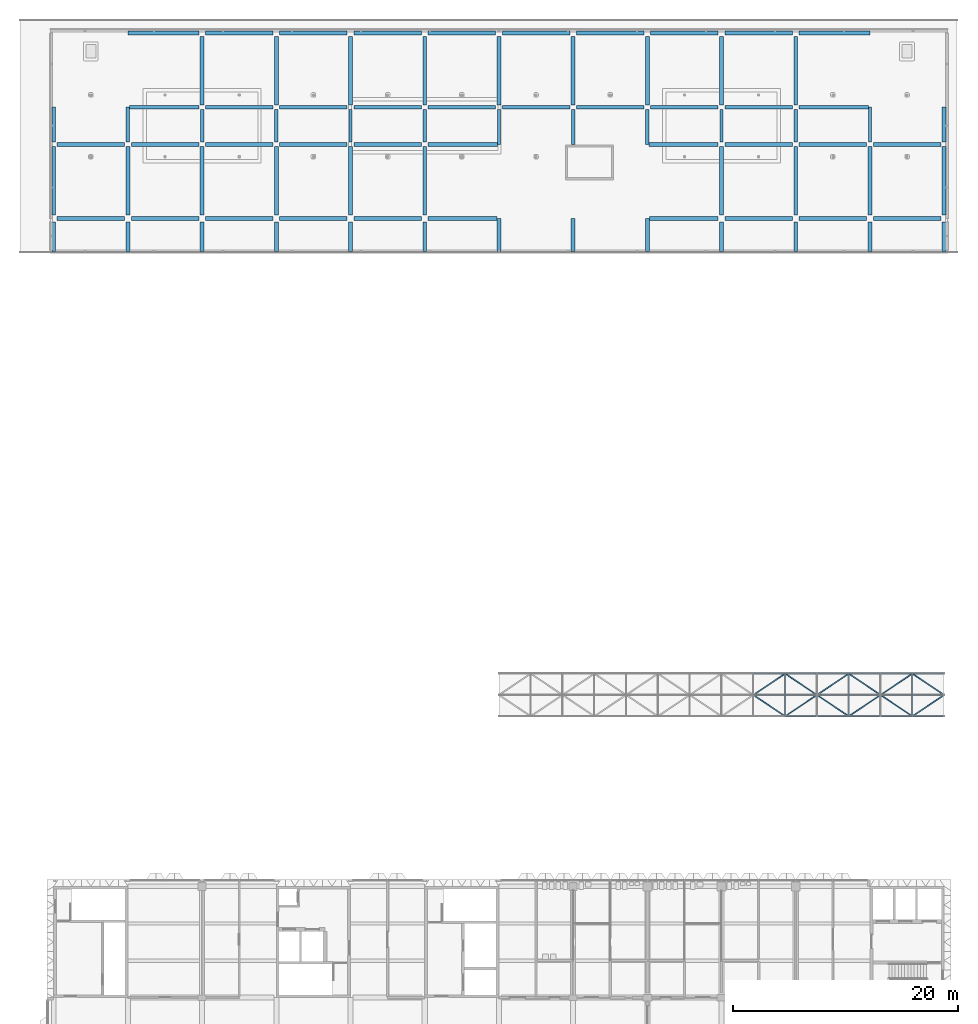
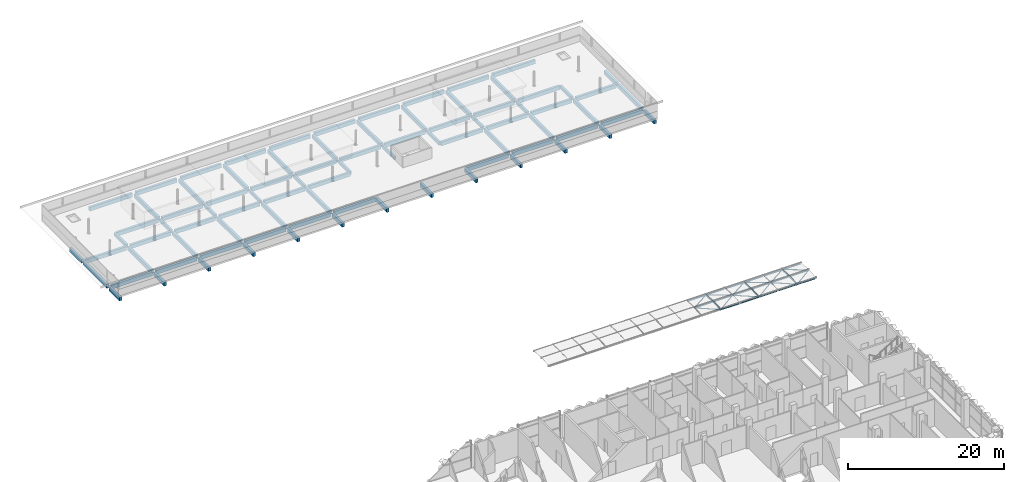
# One storey, part 13 of 61: 85 beams, 35 members.
"""IFC4 building model written with IfcOpenShell, lengths in metres."""

from ifc_helpers import new_model, si_unit, direction, frame, origin, origin_2d, place, context, subcontext, project, spatial, rectangle, hollow_rectangle, extrude, material, material_profile, profile_set, type_object, element, save


model = new_model("IFC4")

# Units and contexts
model_context = context("Model", 3, precision=1e-05, world=origin(), true_north=direction((0.0, 1.0)))
body_context = subcontext(model_context, "Body", "Model", "MODEL_VIEW")
ifc_project = project(units=[si_unit("LENGTHUNIT", "METRE"), si_unit("AREAUNIT", "SQUARE_METRE"), si_unit("VOLUMEUNIT", "CUBIC_METRE"), si_unit("PLANEANGLEUNIT", "RADIAN"), si_unit("MASSUNIT", "GRAM", prefix="KILO")], contexts=[model_context])

# Site, building, storey
site_placement = place(None, origin())
site = spatial("IfcSite", under=ifc_project, at=site_placement, CompositionType="ELEMENT")
building_placement = place(site_placement, origin())
building = spatial("IfcBuilding", under=site, at=building_placement, Name="Lantern Court Research Institute", CompositionType="ELEMENT")
storey_placement = place(building_placement, frame((0.0, 0.0, 23.39990234375)))
storey = spatial("IfcBuildingStorey", under=building, at=storey_placement, Name="L05", CompositionType="ELEMENT", Elevation=23.39990234375)

# Members
ifc_material_1 = material(Name="Structural steel S355", Category="steel")
ifc_material_profile_1 = material_profile(ifc_material_1, hollow_rectangle(XDim=0.080078125, YDim=0.159912109375, WallThickness=0.00634765625, at=origin_2d()), Name="Gridshell crown purlin RHS 160 x 80 x 6.3")
ifc_profile_set_1 = profile_set([ifc_material_profile_1], Name="Structural steel S355")
member_type_1 = type_object("IfcMemberType", Name="Gridshell crown purlin RHS 160 x 80 x 6.3", PredefinedType="PURLIN", material=ifc_profile_set_1)
member_1_placement = place(storey_placement, frame((65.1171875, 38.23291015625, 0.024658203125), z_axis=(1.0, 0.0, 0.0), x_axis=(0.0, 0.994933962664, 0.100530641789)))
element("IfcMember", 1, at=member_1_placement, inside=storey, type_object=member_type_1, Name="Gridshell purlin", PredefinedType="PURLIN", context=body_context, shape_type="SweptSolid", body=[
    extrude(hollow_rectangle(XDim=0.080078125, YDim=0.159912109375, WallThickness=0.00634765625, at=origin_2d()), origin(), (0.0, 0.0, 1.0), 2.66845703125),
])
for number, where, z_axis, x_axis, name in (
    (2, (67.985595703125, 38.23291015625, 0.024658203125), (1.0, 0.0, 0.0), (0.0, 0.994933962664, 0.100530641789), "Gridshell purlin"),
    (3, (70.774169921875, 38.23291015625, 0.024658203125), (1.0, 0.0, 0.0), (0.0, 0.994933962664, 0.100530641789), "Gridshell purlin"),
    (4, (73.642822265625, 38.23291015625, 0.024658203125), (1.0, 0.0, 0.0), (0.0, 0.994933962664, 0.100530641789), "Gridshell purlin"),
):
    element("IfcMember", number, at=place(storey_placement, frame(where, z_axis=z_axis, x_axis=x_axis)), inside=storey, type_object=member_type_1, Name=name, PredefinedType="PURLIN", context=body_context, shape_type="SweptSolid", body=[
        extrude(hollow_rectangle(XDim=0.080078125, YDim=0.159912109375, WallThickness=0.00634765625, at=origin_2d()), origin(), (0.0, 0.0, 1.0), 2.668701171875),
    ])
member_2_placement = place(storey_placement, frame((76.431396484375, 38.23291015625, 0.024658203125), z_axis=(1.0, 0.0, 0.0), x_axis=(0.0, 0.994933962664, 0.100530641789)))
element("IfcMember", 5, at=member_2_placement, inside=storey, type_object=member_type_1, Name="Gridshell purlin", PredefinedType="PURLIN", context=body_context, shape_type="SweptSolid", body=[
    extrude(hollow_rectangle(XDim=0.080078125, YDim=0.159912109375, WallThickness=0.00634765625, at=origin_2d()), origin(), (0.0, 0.0, 1.0), 2.6435546875),
])
for number, where, z_axis, x_axis, name in (
    (6, (62.32861328125, 40.125, 0.1201171875), (1.0, 0.0, 0.0), (0.0, 1.0, 0.0), "Gridshell purlin"),
    (7, (65.1171875, 40.125, 0.1201171875), (1.0, 0.0, 0.0), (0.0, 1.0, 0.0), "Gridshell purlin"),
):
    element("IfcMember", number, at=place(storey_placement, frame(where, z_axis=z_axis, x_axis=x_axis)), inside=storey, type_object=member_type_1, Name=name, PredefinedType="PURLIN", context=body_context, shape_type="SweptSolid", body=[
        extrude(hollow_rectangle(XDim=0.080078125, YDim=0.159912109375, WallThickness=0.00634765625, at=origin_2d()), origin(), (0.0, 0.0, 1.0), 2.66845703125),
    ])
for number, where, z_axis, x_axis, name in (
    (8, (67.985595703125, 40.125, 0.1201171875), (1.0, 0.0, 0.0), (0.0, 1.0, 0.0), "Gridshell purlin"),
    (9, (70.774169921875, 40.125, 0.1201171875), (1.0, 0.0, 0.0), (0.0, 1.0, 0.0), "Gridshell purlin"),
    (10, (73.642822265625, 40.125, 0.1201171875), (1.0, 0.0, 0.0), (0.0, 1.0, 0.0), "Gridshell purlin"),
):
    element("IfcMember", number, at=place(storey_placement, frame(where, z_axis=z_axis, x_axis=x_axis)), inside=storey, type_object=member_type_1, Name=name, PredefinedType="PURLIN", context=body_context, shape_type="SweptSolid", body=[
        extrude(hollow_rectangle(XDim=0.080078125, YDim=0.159912109375, WallThickness=0.00634765625, at=origin_2d()), origin(), (0.0, 0.0, 1.0), 2.668701171875),
    ])
member_3_placement = place(storey_placement, frame((76.431396484375, 40.125, 0.1201171875), z_axis=(1.0, 0.0, 0.0), x_axis=(0.0, 1.0, 0.0)))
element("IfcMember", 11, at=member_3_placement, inside=storey, type_object=member_type_1, Name="Gridshell purlin", PredefinedType="PURLIN", context=body_context, shape_type="SweptSolid", body=[
    extrude(hollow_rectangle(XDim=0.080078125, YDim=0.159912109375, WallThickness=0.00634765625, at=origin_2d()), origin(), (0.0, 0.0, 1.0), 2.6435546875),
])
for number, where, z_axis, x_axis, name in (
    (12, (62.32861328125, 42.01708984375, 0.024658203125), (1.0, 0.0, 0.0), (0.0, 0.994933962664, -0.100530641789), "Gridshell purlin"),
    (13, (65.1171875, 42.01708984375, 0.024658203125), (1.0, 0.0, 0.0), (0.0, 0.994933962664, -0.100530641789), "Gridshell purlin"),
):
    element("IfcMember", number, at=place(storey_placement, frame(where, z_axis=z_axis, x_axis=x_axis)), inside=storey, type_object=member_type_1, Name=name, PredefinedType="PURLIN", context=body_context, shape_type="SweptSolid", body=[
        extrude(hollow_rectangle(XDim=0.080078125, YDim=0.159912109375, WallThickness=0.00634765625, at=origin_2d()), origin(), (0.0, 0.0, 1.0), 2.66845703125),
    ])
for number, where, z_axis, x_axis, name in (
    (14, (67.985595703125, 42.01708984375, 0.024658203125), (1.0, 0.0, 0.0), (0.0, 0.994933962664, -0.100530641789), "Gridshell purlin"),
    (15, (70.774169921875, 42.01708984375, 0.024658203125), (1.0, 0.0, 0.0), (0.0, 0.994933962664, -0.100530641789), "Gridshell purlin"),
    (16, (73.642822265625, 42.01708984375, 0.024658203125), (1.0, 0.0, 0.0), (0.0, 0.994933962664, -0.100530641789), "Gridshell purlin"),
):
    element("IfcMember", number, at=place(storey_placement, frame(where, z_axis=z_axis, x_axis=x_axis)), inside=storey, type_object=member_type_1, Name=name, PredefinedType="PURLIN", context=body_context, shape_type="SweptSolid", body=[
        extrude(hollow_rectangle(XDim=0.080078125, YDim=0.159912109375, WallThickness=0.00634765625, at=origin_2d()), origin(), (0.0, 0.0, 1.0), 2.668701171875),
    ])
member_4_placement = place(storey_placement, frame((76.431396484375, 42.01708984375, 0.024658203125), z_axis=(1.0, 0.0, 0.0), x_axis=(0.0, 0.994933962664, -0.100530641789)))
element("IfcMember", 17, at=member_4_placement, inside=storey, type_object=member_type_1, Name="Gridshell purlin", PredefinedType="PURLIN", context=body_context, shape_type="SweptSolid", body=[
    extrude(hollow_rectangle(XDim=0.080078125, YDim=0.159912109375, WallThickness=0.00634765625, at=origin_2d()), origin(), (0.0, 0.0, 1.0), 2.6435546875),
])
ifc_material_2 = material(Name="Structural steel S355", Category="steel")
ifc_material_profile_2 = material_profile(ifc_material_2, hollow_rectangle(XDim=0.10009765625, YDim=0.10009765625, WallThickness=0.00634765625, at=origin_2d()), Name="Gridshell diagonal RHS 100 x 100 x 6.3")
ifc_profile_set_2 = profile_set([ifc_material_profile_2], Name="Structural steel S355")
member_type_2 = type_object("IfcMemberType", Name="Gridshell diagonal RHS 100 x 100 x 6.3", PredefinedType="BRACE", material=ifc_profile_set_2)
for number, where, z_axis, x_axis, name in (
    (18, (65.05712890625, 38.2275390625, 0.054443359375), (-0.829800097715, 0.557354079097, 0.028075404653), (-0.55806074737, -0.828748535987, -0.041762020349), "Gridshell diagonal"),
    (19, (62.228515625, 40.12255859375, 0.150146484375), (0.829800097715, 0.557354079097, -0.028075404653), (-0.55806074737, 0.828748535987, -0.041762020349), "Gridshell diagonal"),
    (20, (65.05712890625, 38.2275390625, 0.054443359375), (0.829800097715, 0.557354079097, 0.028075404653), (-0.55806074737, 0.828748535987, 0.041762020349), "Gridshell diagonal"),
    (21, (67.8857421875, 40.12255859375, 0.150146484375), (-0.829800097715, 0.557354079097, -0.028075404653), (-0.55806074737, -0.828748535987, 0.041762020349), "Gridshell diagonal"),
    (22, (70.71435546875, 38.2275390625, 0.054443359375), (-0.829800097715, 0.557354079097, 0.028075404653), (-0.55806074737, -0.828748535987, -0.041762020349), "Gridshell diagonal"),
    (23, (67.8857421875, 40.12255859375, 0.150146484375), (0.829800097715, 0.557354079097, -0.028075404653), (-0.55806074737, 0.828748535987, -0.041762020349), "Gridshell diagonal"),
    (24, (70.71435546875, 38.2275390625, 0.054443359375), (0.829800097715, 0.557354079097, 0.028075404653), (-0.55806074737, 0.828748535987, 0.041762020349), "Gridshell diagonal"),
    (25, (73.54296875, 40.12255859375, 0.150146484375), (-0.829800097715, 0.557354079097, -0.028075404653), (-0.55806074737, -0.828748535987, 0.041762020349), "Gridshell diagonal"),
    (26, (76.371337890625, 38.2275390625, 0.054443359375), (-0.829777790691, 0.557387204761, 0.02807707328), (-0.558093915024, -0.828726200764, -0.041762018391), "Gridshell diagonal"),
    (27, (73.54296875, 40.12255859375, 0.150146484375), (0.829777790691, 0.557387204761, -0.02807707328), (-0.558093915024, 0.828726200764, -0.041762018391), "Gridshell diagonal"),
    (28, (76.371337890625, 38.2275390625, 0.054443359375), (0.829800097715, 0.557354079097, 0.028075404653), (-0.55806074737, 0.828748535987, 0.041762020349), "Gridshell diagonal"),
    (29, (79.199951171875, 40.12255859375, 0.150146484375), (-0.829800097715, 0.557354079097, -0.028075404653), (-0.55806074737, -0.828748535987, 0.041762020349), "Gridshell diagonal"),
):
    element("IfcMember", number, at=place(storey_placement, frame(where, z_axis=z_axis, x_axis=x_axis)), inside=storey, type_object=member_type_2, Name=name, PredefinedType="BRACE", context=body_context, shape_type="SweptSolid", body=[
        extrude(hollow_rectangle(XDim=0.10009765625, YDim=0.10009765625, WallThickness=0.00634765625, at=origin_2d()), origin(), (0.0, 0.0, 1.0), 3.40869140625),
    ])
ifc_material_3 = material(Name="Structural steel S355", Category="steel")
ifc_material_profile_3 = material_profile(ifc_material_3, hollow_rectangle(XDim=0.1201171875, YDim=0.199951171875, WallThickness=0.008056640625, at=origin_2d()), Name="Gridshell secondary rib RHS 200 x 120 x 8")
ifc_profile_set_3 = profile_set([ifc_material_profile_3], Name="Structural steel S355")
member_type_3 = type_object("IfcMemberType", Name="Gridshell secondary rib RHS 200 x 120 x 8", PredefinedType="RAFTER", material=ifc_profile_set_3)
for number, where, z_axis, x_axis, name in (
    (30, (65.05712890625, 38.22998046875, 0.00439453125), (0.0, 0.998727576976, 0.050430417288), (-1.0, 0.0, 0.0), "Gridshell secondary rib"),
    (31, (65.05712890625, 40.119873046875, 0.100341796875), (0.0, 0.998727576976, -0.050430417288), (-1.0, 0.0, 0.0), "Gridshell secondary rib"),
    (32, (70.71435546875, 38.22998046875, 0.00439453125), (0.0, 0.998727576976, 0.050430417288), (-1.0, 0.0, 0.0), "Gridshell secondary rib"),
    (33, (70.71435546875, 40.119873046875, 0.100341796875), (0.0, 0.998727576976, -0.050430417288), (-1.0, 0.0, 0.0), "Gridshell secondary rib"),
    (34, (76.371337890625, 38.22998046875, 0.00439453125), (0.0, 0.998727576976, 0.050430417288), (-1.0, 0.0, 0.0), "Gridshell secondary rib"),
    (35, (76.371337890625, 40.119873046875, 0.100341796875), (0.0, 0.998727576976, -0.050430417288), (-1.0, 0.0, 0.0), "Gridshell secondary rib"),
):
    element("IfcMember", number, at=place(storey_placement, frame(where, z_axis=z_axis, x_axis=x_axis)), inside=storey, type_object=member_type_3, Name=name, PredefinedType="RAFTER", context=body_context, shape_type="SweptSolid", body=[
        extrude(hollow_rectangle(XDim=0.1201171875, YDim=0.199951171875, WallThickness=0.008056640625, at=origin_2d()), origin(), (0.0, 0.0, 1.0), 1.902587890625),
    ])

# Beams
ifc_material_4 = material(Name="Concrete C40/50", Category="concrete")
ifc_material_profile_4 = material_profile(ifc_material_4, rectangle(XDim=0.35009765625, YDim=0.60009765625, at=origin_2d()), Name="RC beam 350 x 600")
ifc_profile_set_4 = profile_set([ifc_material_profile_4], Name="Concrete C40/50")
beam_type_1 = type_object("IfcBeamType", Name="RC beam 350 x 600", PredefinedType="BEAM", material=ifc_profile_set_4)
for number, where, z_axis, x_axis, name in (
    (36, (6.60009765625, 82.800048828125, -0.5498046875), (0.0, 1.0, 0.0), (-1.0, 0.0, 0.0), "Beam L05 grid 2/J-K"),
    (37, (13.199951171875, 82.800048828125, -0.5498046875), (0.0, 1.0, 0.0), (-1.0, 0.0, 0.0), "Beam L05 grid 3/J-K"),
    (38, (13.199951171875, 92.60009765625, -0.5498046875), (0.0, 1.0, 0.0), (-1.0, 0.0, 0.0), "Beam L05 grid 3/L-M"),
    (39, (19.800048828125, 82.800048828125, -0.5498046875), (0.0, 1.0, 0.0), (-1.0, 0.0, 0.0), "Beam L05 grid 4/J-K"),
    (40, (19.800048828125, 92.60009765625, -0.5498046875), (0.0, 1.0, 0.0), (-1.0, 0.0, 0.0), "Beam L05 grid 4/L-M"),
    (41, (26.39990234375, 82.800048828125, -0.5498046875), (0.0, 1.0, 0.0), (-1.0, 0.0, 0.0), "Beam L05 grid 5/J-K"),
    (42, (26.39990234375, 92.60009765625, -0.5498046875), (0.0, 1.0, 0.0), (-1.0, 0.0, 0.0), "Beam L05 grid 5/L-M"),
    (43, (33.0, 82.800048828125, -0.5498046875), (0.0, 1.0, 0.0), (-1.0, 0.0, 0.0), "Beam L05 grid 6/J-K"),
    (44, (33.0, 92.60009765625, -0.5498046875), (0.0, 1.0, 0.0), (-1.0, 0.0, 0.0), "Beam L05 grid 6/L-M"),
    (45, (39.60009765625, 92.60009765625, -0.5498046875), (0.0, 1.0, 0.0), (-1.0, 0.0, 0.0), "Beam L05 grid 7/L-M"),
    (46, (46.199951171875, 92.60009765625, -0.5498046875), (0.0, 1.0, 0.0), (-1.0, 0.0, 0.0), "Beam L05 grid 8/L-M"),
    (47, (52.800048828125, 92.60009765625, -0.5498046875), (0.0, 1.0, 0.0), (-1.0, 0.0, 0.0), "Beam L05 grid 9/L-M"),
    (48, (59.39990234375, 82.800048828125, -0.5498046875), (0.0, 1.0, 0.0), (-1.0, 0.0, 0.0), "Beam L05 grid 10/J-K"),
    (49, (59.39990234375, 92.60009765625, -0.5498046875), (0.0, 1.0, 0.0), (-1.0, 0.0, 0.0), "Beam L05 grid 10/L-M"),
    (50, (66.0, 82.800048828125, -0.5498046875), (0.0, 1.0, 0.0), (-1.0, 0.0, 0.0), "Beam L05 grid 11/J-K"),
    (51, (66.0, 92.60009765625, -0.5498046875), (0.0, 1.0, 0.0), (-1.0, 0.0, 0.0), "Beam L05 grid 11/L-M"),
    (52, (72.60009765625, 82.800048828125, -0.5498046875), (0.0, 1.0, 0.0), (-1.0, 0.0, 0.0), "Beam L05 grid 12/J-K"),
):
    element("IfcBeam", number, at=place(storey_placement, frame(where, z_axis=z_axis, x_axis=x_axis)), inside=storey, type_object=beam_type_1, Name=name, PredefinedType="BEAM", context=body_context, shape_type="SweptSolid", body=[
        extrude(rectangle(XDim=0.35009765625, YDim=0.60009765625, at=origin_2d()), origin(), (0.0, 0.0, 1.0), 6.099853515625),
    ])
for number, where, z_axis, x_axis, name in (
    (53, (0.300048828125, 89.10009765625, -0.5498046875), (1.0, 0.0, 0.0), (0.0, 1.0, 0.0), "Beam L05 grid K/1-2"),
    (54, (6.89990234375, 89.10009765625, -0.5498046875), (1.0, 0.0, 0.0), (0.0, 1.0, 0.0), "Beam L05 grid K/2-3"),
    (55, (13.5, 89.10009765625, -0.5498046875), (1.0, 0.0, 0.0), (0.0, 1.0, 0.0), "Beam L05 grid K/3-4"),
    (56, (20.10009765625, 89.10009765625, -0.5498046875), (1.0, 0.0, 0.0), (0.0, 1.0, 0.0), "Beam L05 grid K/4-5"),
    (57, (26.699951171875, 89.10009765625, -0.5498046875), (1.0, 0.0, 0.0), (0.0, 1.0, 0.0), "Beam L05 grid K/5-6"),
):
    element("IfcBeam", number, at=place(storey_placement, frame(where, z_axis=z_axis, x_axis=x_axis)), inside=storey, type_object=beam_type_1, Name=name, PredefinedType="BEAM", context=body_context, shape_type="SweptSolid", body=[
        extrude(rectangle(XDim=0.35009765625, YDim=0.60009765625, at=origin_2d()), origin(), (0.0, 0.0, 1.0), 6.0),
    ])
beam_1_placement = place(storey_placement, frame((33.300048828125, 89.10009765625, -0.5498046875), z_axis=(1.0, 0.0, 0.0), x_axis=(0.0, 1.0, 0.0)))
element("IfcBeam", 58, at=beam_1_placement, inside=storey, type_object=beam_type_1, Name="Beam L05 grid K/6-7", PredefinedType="BEAM", context=body_context, shape_type="SweptSolid", body=[
    extrude(rectangle(XDim=0.35009765625, YDim=0.60009765625, at=origin_2d()), origin(), (0.0, 0.0, 1.0), 6.14990234375),
])
beam_2_placement = place(storey_placement, frame((52.949951171875, 89.10009765625, -0.5498046875), z_axis=(1.0, 0.0, 0.0), x_axis=(0.0, 1.0, 0.0)))
element("IfcBeam", 59, at=beam_2_placement, inside=storey, type_object=beam_type_1, Name="Beam L05 grid K/9-10", PredefinedType="BEAM", context=body_context, shape_type="SweptSolid", body=[
    extrude(rectangle(XDim=0.35009765625, YDim=0.60009765625, at=origin_2d()), origin(), (0.0, 0.0, 1.0), 6.150146484375),
])
for number, where, z_axis, x_axis, name in (
    (60, (59.699951171875, 89.10009765625, -0.5498046875), (1.0, 0.0, 0.0), (0.0, 1.0, 0.0), "Beam L05 grid K/10-11"),
    (61, (66.300048828125, 89.10009765625, -0.5498046875), (1.0, 0.0, 0.0), (0.0, 1.0, 0.0), "Beam L05 grid K/11-12"),
    (62, (72.89990234375, 89.10009765625, -0.5498046875), (1.0, 0.0, 0.0), (0.0, 1.0, 0.0), "Beam L05 grid K/12-13"),
):
    element("IfcBeam", number, at=place(storey_placement, frame(where, z_axis=z_axis, x_axis=x_axis)), inside=storey, type_object=beam_type_1, Name=name, PredefinedType="BEAM", context=body_context, shape_type="SweptSolid", body=[
        extrude(rectangle(XDim=0.35009765625, YDim=0.60009765625, at=origin_2d()), origin(), (0.0, 0.0, 1.0), 6.0),
    ])
beam_3_placement = place(storey_placement, frame((6.75, 92.39990234375, -0.5498046875), z_axis=(1.0, 0.0, 0.0), x_axis=(0.0, 1.0, 0.0)))
element("IfcBeam", 63, at=beam_3_placement, inside=storey, type_object=beam_type_1, Name="Beam L05 grid L/2-3", PredefinedType="BEAM", context=body_context, shape_type="SweptSolid", body=[
    extrude(rectangle(XDim=0.35009765625, YDim=0.60009765625, at=origin_2d()), origin(), (0.0, 0.0, 1.0), 6.14990234375),
])
for number, where, z_axis, x_axis, name in (
    (64, (13.5, 92.39990234375, -0.5498046875), (1.0, 0.0, 0.0), (0.0, 1.0, 0.0), "Beam L05 grid L/3-4"),
    (65, (20.10009765625, 92.39990234375, -0.5498046875), (1.0, 0.0, 0.0), (0.0, 1.0, 0.0), "Beam L05 grid L/4-5"),
    (66, (26.699951171875, 92.39990234375, -0.5498046875), (1.0, 0.0, 0.0), (0.0, 1.0, 0.0), "Beam L05 grid L/5-6"),
    (67, (33.300048828125, 92.39990234375, -0.5498046875), (1.0, 0.0, 0.0), (0.0, 1.0, 0.0), "Beam L05 grid L/6-7"),
    (68, (39.89990234375, 92.39990234375, -0.5498046875), (1.0, 0.0, 0.0), (0.0, 1.0, 0.0), "Beam L05 grid L/7-8"),
    (69, (46.5, 92.39990234375, -0.5498046875), (1.0, 0.0, 0.0), (0.0, 1.0, 0.0), "Beam L05 grid L/8-9"),
    (70, (53.10009765625, 92.39990234375, -0.5498046875), (1.0, 0.0, 0.0), (0.0, 1.0, 0.0), "Beam L05 grid L/9-10"),
    (71, (59.699951171875, 92.39990234375, -0.5498046875), (1.0, 0.0, 0.0), (0.0, 1.0, 0.0), "Beam L05 grid L/10-11"),
):
    element("IfcBeam", number, at=place(storey_placement, frame(where, z_axis=z_axis, x_axis=x_axis)), inside=storey, type_object=beam_type_1, Name=name, PredefinedType="BEAM", context=body_context, shape_type="SweptSolid", body=[
        extrude(rectangle(XDim=0.35009765625, YDim=0.60009765625, at=origin_2d()), origin(), (0.0, 0.0, 1.0), 6.0),
    ])
beam_4_placement = place(storey_placement, frame((66.300048828125, 92.39990234375, -0.5498046875), z_axis=(1.0, 0.0, 0.0), x_axis=(0.0, 1.0, 0.0)))
element("IfcBeam", 72, at=beam_4_placement, inside=storey, type_object=beam_type_1, Name="Beam L05 grid L/11-12", PredefinedType="BEAM", context=body_context, shape_type="SweptSolid", body=[
    extrude(rectangle(XDim=0.35009765625, YDim=0.60009765625, at=origin_2d()), origin(), (0.0, 0.0, 1.0), 6.14990234375),
])
ifc_material_5 = material(Name="Concrete C40/50", Category="concrete")
ifc_material_profile_5 = material_profile(ifc_material_5, rectangle(XDim=0.35009765625, YDim=0.60009765625, at=origin_2d()), Name="RC beam 350 x 600")
ifc_profile_set_5 = profile_set([ifc_material_profile_5], Name="Concrete C40/50")
beam_type_2 = type_object("IfcBeamType", Name="RC eaves cantilever beam 350 x 600", PredefinedType="BEAM", material=ifc_profile_set_5)
for number, where, z_axis, x_axis, name in (
    (73, (0.0, 82.199951171875, -0.5498046875), (0.0, -1.0, 0.0), (1.0, 0.0, 0.0), "Cantilever beam L05 grid 1/J eaves"),
    (74, (6.60009765625, 82.199951171875, -0.5498046875), (0.0, -1.0, 0.0), (1.0, 0.0, 0.0), "Cantilever beam L05 grid 2/J eaves"),
    (75, (13.199951171875, 82.199951171875, -0.5498046875), (0.0, -1.0, 0.0), (1.0, 0.0, 0.0), "Cantilever beam L05 grid 3/J eaves"),
    (76, (19.800048828125, 82.199951171875, -0.5498046875), (0.0, -1.0, 0.0), (1.0, 0.0, 0.0), "Cantilever beam L05 grid 4/J eaves"),
    (77, (26.39990234375, 82.199951171875, -0.5498046875), (0.0, -1.0, 0.0), (1.0, 0.0, 0.0), "Cantilever beam L05 grid 5/J eaves"),
    (78, (33.0, 82.199951171875, -0.5498046875), (0.0, -1.0, 0.0), (1.0, 0.0, 0.0), "Cantilever beam L05 grid 6/J eaves"),
):
    element("IfcBeam", number, at=place(storey_placement, frame(where, z_axis=z_axis, x_axis=x_axis)), inside=storey, type_object=beam_type_2, Name=name, PredefinedType="BEAM", context=body_context, shape_type="SweptSolid", body=[
        extrude(rectangle(XDim=0.35009765625, YDim=0.60009765625, at=origin_2d()), origin(), (0.0, 0.0, 1.0), 2.64990234375),
    ])
for number, where, z_axis, x_axis, name in (
    (79, (39.60009765625, 82.5, -0.5498046875), (0.0, -1.0, 0.0), (1.0, 0.0, 0.0), "Cantilever beam L05 grid 7/J eaves"),
    (80, (46.199951171875, 82.5, -0.5498046875), (0.0, -1.0, 0.0), (1.0, 0.0, 0.0), "Cantilever beam L05 grid 8/J eaves"),
    (81, (52.800048828125, 82.5, -0.5498046875), (0.0, -1.0, 0.0), (1.0, 0.0, 0.0), "Cantilever beam L05 grid 9/J eaves"),
):
    element("IfcBeam", number, at=place(storey_placement, frame(where, z_axis=z_axis, x_axis=x_axis)), inside=storey, type_object=beam_type_2, Name=name, PredefinedType="BEAM", context=body_context, shape_type="SweptSolid", body=[
        extrude(rectangle(XDim=0.35009765625, YDim=0.60009765625, at=origin_2d()), origin(), (0.0, 0.0, 1.0), 2.949951171875),
    ])
for number, where, z_axis, x_axis, name in (
    (82, (59.39990234375, 82.199951171875, -0.5498046875), (0.0, -1.0, 0.0), (1.0, 0.0, 0.0), "Cantilever beam L05 grid 10/J eaves"),
    (83, (66.0, 82.199951171875, -0.5498046875), (0.0, -1.0, 0.0), (1.0, 0.0, 0.0), "Cantilever beam L05 grid 11/J eaves"),
    (84, (72.60009765625, 82.199951171875, -0.5498046875), (0.0, -1.0, 0.0), (1.0, 0.0, 0.0), "Cantilever beam L05 grid 12/J eaves"),
    (85, (79.199951171875, 82.199951171875, -0.5498046875), (0.0, -1.0, 0.0), (1.0, 0.0, 0.0), "Cantilever beam L05 grid 13/J eaves"),
):
    element("IfcBeam", number, at=place(storey_placement, frame(where, z_axis=z_axis, x_axis=x_axis)), inside=storey, type_object=beam_type_2, Name=name, PredefinedType="BEAM", context=body_context, shape_type="SweptSolid", body=[
        extrude(rectangle(XDim=0.35009765625, YDim=0.60009765625, at=origin_2d()), origin(), (0.0, 0.0, 1.0), 2.64990234375),
    ])
ifc_material_6 = material(Name="Concrete C40/50", Category="concrete")
ifc_material_profile_6 = material_profile(ifc_material_6, rectangle(XDim=0.35009765625, YDim=0.60009765625, at=origin_2d()), Name="RC beam 350 x 600")
ifc_profile_set_6 = profile_set([ifc_material_profile_6], Name="Concrete C40/50")
beam_type_3 = type_object("IfcBeamType", Name="RC edge beam 350 x 600", PredefinedType="BEAM", material=ifc_profile_set_6)
beam_5_placement = place(storey_placement, frame((0.0, 82.800048828125, -0.5498046875), z_axis=(0.0, 1.0, 0.0), x_axis=(-1.0, 0.0, 0.0)))
element("IfcBeam", 86, at=beam_5_placement, inside=storey, type_object=beam_type_3, Name="Edge beam L05 grid 1/J-K", PredefinedType="BEAM", context=body_context, shape_type="SweptSolid", body=[
    extrude(rectangle(XDim=0.35009765625, YDim=0.60009765625, at=origin_2d()), origin(), (0.0, 0.0, 1.0), 6.099853515625),
])
beam_6_placement = place(storey_placement, frame((0.0, 89.300048828125, -0.5498046875), z_axis=(0.0, 1.0, 0.0), x_axis=(-1.0, 0.0, 0.0)))
element("IfcBeam", 87, at=beam_6_placement, inside=storey, type_object=beam_type_3, Name="Edge beam L05 grid 1/K-L", PredefinedType="BEAM", context=body_context, shape_type="SweptSolid", body=[
    extrude(rectangle(XDim=0.35009765625, YDim=0.60009765625, at=origin_2d()), origin(), (0.0, 0.0, 1.0), 3.099853515625),
])
beam_7_placement = place(storey_placement, frame((79.199951171875, 82.800048828125, -0.5498046875), z_axis=(0.0, 1.0, 0.0), x_axis=(-1.0, 0.0, 0.0)))
element("IfcBeam", 88, at=beam_7_placement, inside=storey, type_object=beam_type_3, Name="Edge beam L05 grid 13/J-K", PredefinedType="BEAM", context=body_context, shape_type="SweptSolid", body=[
    extrude(rectangle(XDim=0.35009765625, YDim=0.60009765625, at=origin_2d()), origin(), (0.0, 0.0, 1.0), 6.099853515625),
])
beam_8_placement = place(storey_placement, frame((79.199951171875, 89.300048828125, -0.5498046875), z_axis=(0.0, 1.0, 0.0), x_axis=(-1.0, 0.0, 0.0)))
element("IfcBeam", 89, at=beam_8_placement, inside=storey, type_object=beam_type_3, Name="Edge beam L05 grid 13/K-L", PredefinedType="BEAM", context=body_context, shape_type="SweptSolid", body=[
    extrude(rectangle(XDim=0.35009765625, YDim=0.60009765625, at=origin_2d()), origin(), (0.0, 0.0, 1.0), 3.099853515625),
])
for number, where, z_axis, x_axis, name in (
    (90, (0.300048828125, 82.5, -0.5498046875), (1.0, 0.0, 0.0), (0.0, 1.0, 0.0), "Edge beam L05 grid J/1-2"),
    (91, (6.89990234375, 82.5, -0.5498046875), (1.0, 0.0, 0.0), (0.0, 1.0, 0.0), "Edge beam L05 grid J/2-3"),
    (92, (13.5, 82.5, -0.5498046875), (1.0, 0.0, 0.0), (0.0, 1.0, 0.0), "Edge beam L05 grid J/3-4"),
    (93, (20.10009765625, 82.5, -0.5498046875), (1.0, 0.0, 0.0), (0.0, 1.0, 0.0), "Edge beam L05 grid J/4-5"),
    (94, (26.699951171875, 82.5, -0.5498046875), (1.0, 0.0, 0.0), (0.0, 1.0, 0.0), "Edge beam L05 grid J/5-6"),
):
    element("IfcBeam", number, at=place(storey_placement, frame(where, z_axis=z_axis, x_axis=x_axis)), inside=storey, type_object=beam_type_3, Name=name, PredefinedType="BEAM", context=body_context, shape_type="SweptSolid", body=[
        extrude(rectangle(XDim=0.35009765625, YDim=0.60009765625, at=origin_2d()), origin(), (0.0, 0.0, 1.0), 6.0),
    ])
for number, where, z_axis, x_axis, name in (
    (95, (33.300048828125, 82.5, -0.5498046875), (1.0, 0.0, 0.0), (0.0, 1.0, 0.0), "Edge beam L05 grid J/6-7"),
    (96, (52.97509765625, 82.5, -0.5498046875), (1.0, 0.0, 0.0), (0.0, 1.0, 0.0), "Edge beam L05 grid J/9-10"),
):
    element("IfcBeam", number, at=place(storey_placement, frame(where, z_axis=z_axis, x_axis=x_axis)), inside=storey, type_object=beam_type_3, Name=name, PredefinedType="BEAM", context=body_context, shape_type="SweptSolid", body=[
        extrude(rectangle(XDim=0.35009765625, YDim=0.60009765625, at=origin_2d()), origin(), (0.0, 0.0, 1.0), 6.125),
    ])
for number, where, z_axis, x_axis, name in (
    (97, (59.699951171875, 82.5, -0.5498046875), (1.0, 0.0, 0.0), (0.0, 1.0, 0.0), "Edge beam L05 grid J/10-11"),
    (98, (66.300048828125, 82.5, -0.5498046875), (1.0, 0.0, 0.0), (0.0, 1.0, 0.0), "Edge beam L05 grid J/11-12"),
    (99, (72.89990234375, 82.5, -0.5498046875), (1.0, 0.0, 0.0), (0.0, 1.0, 0.0), "Edge beam L05 grid J/12-13"),
):
    element("IfcBeam", number, at=place(storey_placement, frame(where, z_axis=z_axis, x_axis=x_axis)), inside=storey, type_object=beam_type_3, Name=name, PredefinedType="BEAM", context=body_context, shape_type="SweptSolid", body=[
        extrude(rectangle(XDim=0.35009765625, YDim=0.60009765625, at=origin_2d()), origin(), (0.0, 0.0, 1.0), 6.0),
    ])
beam_9_placement = place(storey_placement, frame((6.60009765625, 99.0, -0.5498046875), z_axis=(1.0, 0.0, 0.0), x_axis=(0.0, 1.0, 0.0)))
element("IfcBeam", 100, at=beam_9_placement, inside=storey, type_object=beam_type_3, Name="Edge beam L05 grid M/2-3", PredefinedType="BEAM", context=body_context, shape_type="SweptSolid", body=[
    extrude(rectangle(XDim=0.35009765625, YDim=0.60009765625, at=origin_2d()), origin(), (0.0, 0.0, 1.0), 6.2998046875),
])
for number, where, z_axis, x_axis, name in (
    (101, (13.5, 99.0, -0.5498046875), (1.0, 0.0, 0.0), (0.0, 1.0, 0.0), "Edge beam L05 grid M/3-4"),
    (102, (20.10009765625, 99.0, -0.5498046875), (1.0, 0.0, 0.0), (0.0, 1.0, 0.0), "Edge beam L05 grid M/4-5"),
    (103, (26.699951171875, 99.0, -0.5498046875), (1.0, 0.0, 0.0), (0.0, 1.0, 0.0), "Edge beam L05 grid M/5-6"),
    (104, (33.300048828125, 99.0, -0.5498046875), (1.0, 0.0, 0.0), (0.0, 1.0, 0.0), "Edge beam L05 grid M/6-7"),
    (105, (39.89990234375, 99.0, -0.5498046875), (1.0, 0.0, 0.0), (0.0, 1.0, 0.0), "Edge beam L05 grid M/7-8"),
    (106, (46.5, 99.0, -0.5498046875), (1.0, 0.0, 0.0), (0.0, 1.0, 0.0), "Edge beam L05 grid M/8-9"),
    (107, (53.10009765625, 99.0, -0.5498046875), (1.0, 0.0, 0.0), (0.0, 1.0, 0.0), "Edge beam L05 grid M/9-10"),
    (108, (59.699951171875, 99.0, -0.5498046875), (1.0, 0.0, 0.0), (0.0, 1.0, 0.0), "Edge beam L05 grid M/10-11"),
):
    element("IfcBeam", number, at=place(storey_placement, frame(where, z_axis=z_axis, x_axis=x_axis)), inside=storey, type_object=beam_type_3, Name=name, PredefinedType="BEAM", context=body_context, shape_type="SweptSolid", body=[
        extrude(rectangle(XDim=0.35009765625, YDim=0.60009765625, at=origin_2d()), origin(), (0.0, 0.0, 1.0), 6.0),
    ])
beam_10_placement = place(storey_placement, frame((66.300048828125, 99.0, -0.5498046875), z_axis=(1.0, 0.0, 0.0), x_axis=(0.0, 1.0, 0.0)))
element("IfcBeam", 109, at=beam_10_placement, inside=storey, type_object=beam_type_3, Name="Edge beam L05 grid M/11-12", PredefinedType="BEAM", context=body_context, shape_type="SweptSolid", body=[
    extrude(rectangle(XDim=0.35009765625, YDim=0.60009765625, at=origin_2d()), origin(), (0.0, 0.0, 1.0), 6.300048828125),
])
ifc_material_7 = material(Name="Concrete C40/50", Category="concrete")
ifc_material_profile_7 = material_profile(ifc_material_7, rectangle(XDim=0.300048828125, YDim=0.5, at=origin_2d()), Name="RC beam 300 x 500")
ifc_profile_set_7 = profile_set([ifc_material_profile_7], Name="Concrete C40/50")
beam_type_4 = type_object("IfcBeamType", Name="RC spine beam 300 x 500", PredefinedType="BEAM", material=ifc_profile_set_7)
beam_11_placement = place(storey_placement, frame((6.60009765625, 89.300048828125, -0.5), z_axis=(0.0, 1.0, 0.0), x_axis=(-1.0, 0.0, 0.0)))
element("IfcBeam", 110, at=beam_11_placement, inside=storey, type_object=beam_type_4, Name="Beam L05 grid 2/K-L", PredefinedType="BEAM", context=body_context, shape_type="SweptSolid", body=[
    extrude(rectangle(XDim=0.300048828125, YDim=0.5, at=origin_2d()), origin(), (0.0, 0.0, 1.0), 3.099853515625),
])
for number, where, z_axis, x_axis, name in (
    (111, (13.199951171875, 89.300048828125, -0.5), (0.0, 1.0, 0.0), (-1.0, 0.0, 0.0), "Beam L05 grid 3/K-L"),
    (112, (19.800048828125, 89.300048828125, -0.5), (0.0, 1.0, 0.0), (-1.0, 0.0, 0.0), "Beam L05 grid 4/K-L"),
    (113, (26.39990234375, 89.300048828125, -0.5), (0.0, 1.0, 0.0), (-1.0, 0.0, 0.0), "Beam L05 grid 5/K-L"),
    (114, (33.0, 89.300048828125, -0.5), (0.0, 1.0, 0.0), (-1.0, 0.0, 0.0), "Beam L05 grid 6/K-L"),
):
    element("IfcBeam", number, at=place(storey_placement, frame(where, z_axis=z_axis, x_axis=x_axis)), inside=storey, type_object=beam_type_4, Name=name, PredefinedType="BEAM", context=body_context, shape_type="SweptSolid", body=[
        extrude(rectangle(XDim=0.300048828125, YDim=0.5, at=origin_2d()), origin(), (0.0, 0.0, 1.0), 2.89990234375),
    ])
for number, where, z_axis, x_axis, name in (
    (115, (39.60009765625, 89.10009765625, -0.5), (0.0, 1.0, 0.0), (-1.0, 0.0, 0.0), "Beam L05 grid 7/K-L"),
    (116, (46.199951171875, 89.10009765625, -0.5), (0.0, 1.0, 0.0), (-1.0, 0.0, 0.0), "Beam L05 grid 8/K-L"),
    (117, (52.800048828125, 89.10009765625, -0.5), (0.0, 1.0, 0.0), (-1.0, 0.0, 0.0), "Beam L05 grid 9/K-L"),
):
    element("IfcBeam", number, at=place(storey_placement, frame(where, z_axis=z_axis, x_axis=x_axis)), inside=storey, type_object=beam_type_4, Name=name, PredefinedType="BEAM", context=body_context, shape_type="SweptSolid", body=[
        extrude(rectangle(XDim=0.300048828125, YDim=0.5, at=origin_2d()), origin(), (0.0, 0.0, 1.0), 3.099853515625),
    ])
for number, where, z_axis, x_axis, name in (
    (118, (59.39990234375, 89.300048828125, -0.5), (0.0, 1.0, 0.0), (-1.0, 0.0, 0.0), "Beam L05 grid 10/K-L"),
    (119, (66.0, 89.300048828125, -0.5), (0.0, 1.0, 0.0), (-1.0, 0.0, 0.0), "Beam L05 grid 11/K-L"),
):
    element("IfcBeam", number, at=place(storey_placement, frame(where, z_axis=z_axis, x_axis=x_axis)), inside=storey, type_object=beam_type_4, Name=name, PredefinedType="BEAM", context=body_context, shape_type="SweptSolid", body=[
        extrude(rectangle(XDim=0.300048828125, YDim=0.5, at=origin_2d()), origin(), (0.0, 0.0, 1.0), 2.89990234375),
    ])
beam_12_placement = place(storey_placement, frame((72.60009765625, 89.300048828125, -0.5), z_axis=(0.0, 1.0, 0.0), x_axis=(-1.0, 0.0, 0.0)))
element("IfcBeam", 120, at=beam_12_placement, inside=storey, type_object=beam_type_4, Name="Beam L05 grid 12/K-L", PredefinedType="BEAM", context=body_context, shape_type="SweptSolid", body=[
    extrude(rectangle(XDim=0.300048828125, YDim=0.5, at=origin_2d()), origin(), (0.0, 0.0, 1.0), 3.099853515625),
])

save(model, "model.ifc")
